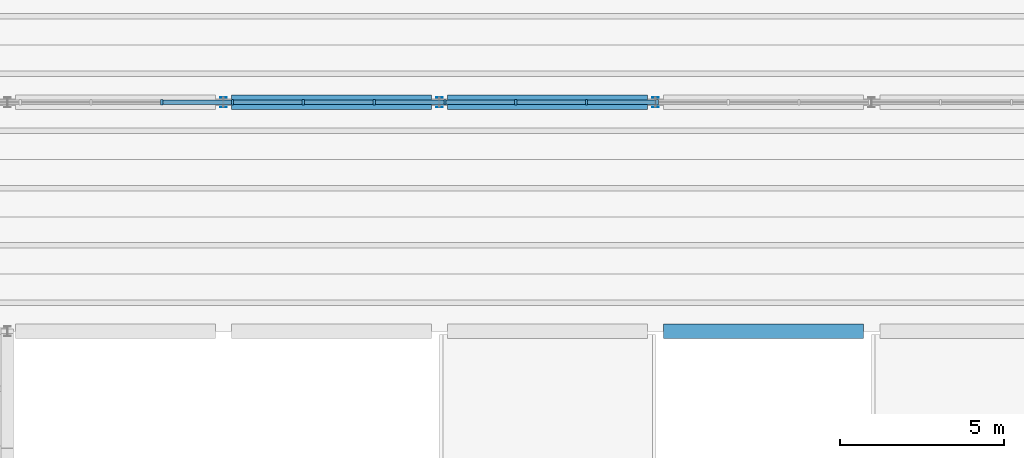
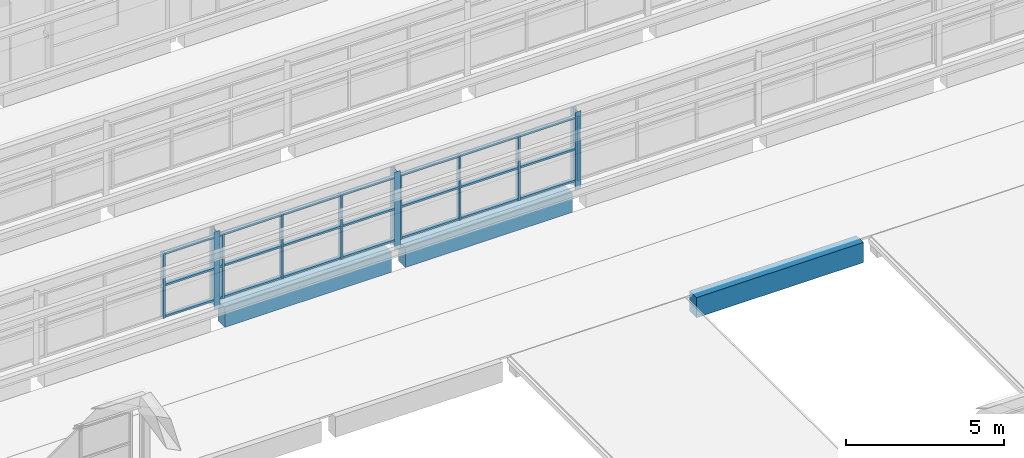
# One storey, part 40 of 92: 32 members, 3 beams, 1 element without a shape of its own.
"""IFC4 building model written with IfcOpenShell, lengths in metres."""

from ifc_helpers import new_model, si_unit, direction, frame, origin, origin_2d, place, context, subcontext, project, spatial, rectangle, i_section, extrude, material, material_profile, profile_set, type_object, element, aggregate, save


model = new_model("IFC4")

# Units and contexts
model_context = context("Model", 3, precision=1e-05, world=origin(), true_north=direction((0.0, 1.0)))
body_context = subcontext(model_context, "Body", "Model", "MODEL_VIEW")
ifc_project = project(units=[si_unit("LENGTHUNIT", "METRE"), si_unit("AREAUNIT", "SQUARE_METRE"), si_unit("VOLUMEUNIT", "CUBIC_METRE"), si_unit("PLANEANGLEUNIT", "RADIAN"), si_unit("MASSUNIT", "GRAM", prefix="KILO")], contexts=[model_context])

# Site, building, storey
site_placement = place(None, origin())
site = spatial("IfcSite", under=ifc_project, at=site_placement, CompositionType="ELEMENT")
building_placement = place(site_placement, origin())
building = spatial("IfcBuilding", under=site, at=building_placement, Name="Ciguamira Faculty of Natural Sciences", CompositionType="ELEMENT")
storey_placement = place(building_placement, frame((0.0, 0.0, 16.800048828125)))
storey = spatial("IfcBuildingStorey", under=building, at=storey_placement, Name="L04", CompositionType="ELEMENT", Elevation=16.800048828125)

# Curtain wall, members
ifc_material_1 = material(Name="Anodized aluminium curtain wall", Category="aluminium")
curtain_wall_type = type_object("IfcCurtainWallType", Name="CurtainWall_CW-07", PredefinedType="USERDEFINED", material=ifc_material_1)
curtain_wall_placement = place(storey_placement, origin())
curtain_wall = element("IfcCurtainWall", 1, at=curtain_wall_placement, inside=storey, type_object=curtain_wall_type, Name="V4 north-light wave 5 clerestory glazing 1", ObjectType="UNITISED CURTAIN WALL", PredefinedType="USERDEFINED")
ifc_material_2 = material(Name="Anodized aluminium mullion", Category="aluminium")
ifc_material_profile_1 = material_profile(ifc_material_2, rectangle(XDim=0.070068359375, YDim=0.179931640625, at=origin_2d()), Name="ALU-MUL-70X180")
ifc_profile_set_1 = profile_set([ifc_material_profile_1], Name="Anodized aluminium mullion")
member_type_1 = type_object("IfcMemberType", Name="CWMullion_CWM-02", PredefinedType="MULLION", material=ifc_profile_set_1)
member_1_placement = place(storey_placement, frame((68.61474609375, 80.0, 0.25), z_axis=(0.0, 0.0, 1.0), x_axis=(1.0, 0.0, 0.0)))
member_1 = element("IfcMember", 2, at=member_1_placement, type_object=member_type_1, Name="CW-07 mullion 6", PredefinedType="MULLION", context=body_context, shape_type="SweptSolid", body=[
    extrude(rectangle(XDim=0.070068359375, YDim=0.179931640625, at=origin_2d()), origin(), (0.0, 0.0, 1.0), 2.5),
])
member_2_placement = place(storey_placement, frame((70.77783203125, 80.0, 0.25), z_axis=(0.0, 0.0, 1.0), x_axis=(1.0, 0.0, 0.0)))
member_2 = element("IfcMember", 3, at=member_2_placement, type_object=member_type_1, Name="CW-07 mullion 7", PredefinedType="MULLION", context=body_context, shape_type="SweptSolid", body=[
    extrude(rectangle(XDim=0.070068359375, YDim=0.179931640625, at=origin_2d()), origin(), (0.0, 0.0, 1.0), 2.5),
])
member_3_placement = place(storey_placement, frame((72.940673828125, 80.0, 0.25), z_axis=(0.0, 0.0, 1.0), x_axis=(1.0, 0.0, 0.0)))
member_3 = element("IfcMember", 4, at=member_3_placement, type_object=member_type_1, Name="CW-07 mullion 8", PredefinedType="MULLION", context=body_context, shape_type="SweptSolid", body=[
    extrude(rectangle(XDim=0.070068359375, YDim=0.179931640625, at=origin_2d()), origin(), (0.0, 0.0, 1.0), 2.5),
])
member_4_placement = place(storey_placement, frame((75.103759765625, 80.0, 0.25), z_axis=(0.0, 0.0, 1.0), x_axis=(1.0, 0.0, 0.0)))
member_4 = element("IfcMember", 5, at=member_4_placement, type_object=member_type_1, Name="CW-07 mullion 9", PredefinedType="MULLION", context=body_context, shape_type="SweptSolid", body=[
    extrude(rectangle(XDim=0.070068359375, YDim=0.179931640625, at=origin_2d()), origin(), (0.0, 0.0, 1.0), 2.5),
])
member_5_placement = place(storey_placement, frame((77.2666015625, 80.0, 0.25), z_axis=(0.0, 0.0, 1.0), x_axis=(1.0, 0.0, 0.0)))
member_5 = element("IfcMember", 6, at=member_5_placement, type_object=member_type_1, Name="CW-07 mullion 10", PredefinedType="MULLION", context=body_context, shape_type="SweptSolid", body=[
    extrude(rectangle(XDim=0.070068359375, YDim=0.179931640625, at=origin_2d()), origin(), (0.0, 0.0, 1.0), 2.5),
])
member_6_placement = place(storey_placement, frame((79.4296875, 80.0, 0.25), z_axis=(0.0, 0.0, 1.0), x_axis=(1.0, 0.0, 0.0)))
member_6 = element("IfcMember", 7, at=member_6_placement, type_object=member_type_1, Name="CW-07 mullion 11", PredefinedType="MULLION", context=body_context, shape_type="SweptSolid", body=[
    extrude(rectangle(XDim=0.070068359375, YDim=0.179931640625, at=origin_2d()), origin(), (0.0, 0.0, 1.0), 2.5),
])
member_7_placement = place(storey_placement, frame((81.592529296875, 80.0, 0.25), z_axis=(0.0, 0.0, 1.0), x_axis=(1.0, 0.0, 0.0)))
member_7 = element("IfcMember", 8, at=member_7_placement, type_object=member_type_1, Name="CW-07 mullion 12", PredefinedType="MULLION", context=body_context, shape_type="SweptSolid", body=[
    extrude(rectangle(XDim=0.070068359375, YDim=0.179931640625, at=origin_2d()), origin(), (0.0, 0.0, 1.0), 2.5),
])
member_8_placement = place(storey_placement, frame((83.755615234375, 80.0, 0.25), z_axis=(0.0, 0.0, 1.0), x_axis=(1.0, 0.0, 0.0)))
member_8 = element("IfcMember", 9, at=member_8_placement, type_object=member_type_1, Name="CW-07 mullion 13", PredefinedType="MULLION", context=body_context, shape_type="SweptSolid", body=[
    extrude(rectangle(XDim=0.070068359375, YDim=0.179931640625, at=origin_2d()), origin(), (0.0, 0.0, 1.0), 2.5),
])
ifc_material_3 = material(Name="Anodized aluminium transom", Category="aluminium")
ifc_material_profile_2 = material_profile(ifc_material_3, rectangle(XDim=0.070068359375, YDim=0.139892578125, at=origin_2d()), Name="ALU-TRN-70X140")
ifc_profile_set_2 = profile_set([ifc_material_profile_2], Name="Anodized aluminium transom")
member_type_2 = type_object("IfcMemberType", Name="CWTransom_CWT-02", PredefinedType="USERDEFINED", material=ifc_profile_set_2)
member_9_placement = place(storey_placement, frame((68.64990234375, 80.0, 0.284912109375), z_axis=(1.0, 0.0, 0.0), x_axis=(0.0, 0.0, 1.0)))
member_9 = element("IfcMember", 10, at=member_9_placement, type_object=member_type_2, Name="CW-07 transom 6.1", ObjectType="TRANSOM", PredefinedType="USERDEFINED", context=body_context, shape_type="SweptSolid", body=[
    extrude(rectangle(XDim=0.070068359375, YDim=0.139892578125, at=origin_2d()), origin(), (0.0, 0.0, 1.0), 2.0927734375),
])
member_10_placement = place(storey_placement, frame((68.64990234375, 80.0, 1.5), z_axis=(1.0, 0.0, 0.0), x_axis=(0.0, 0.0, 1.0)))
member_10 = element("IfcMember", 11, at=member_10_placement, type_object=member_type_2, Name="CW-07 transom 6.2", ObjectType="TRANSOM", PredefinedType="USERDEFINED", context=body_context, shape_type="SweptSolid", body=[
    extrude(rectangle(XDim=0.070068359375, YDim=0.139892578125, at=origin_2d()), origin(), (0.0, 0.0, 1.0), 2.0927734375),
])
member_11_placement = place(storey_placement, frame((68.64990234375, 80.0, 2.71484375), z_axis=(1.0, 0.0, 0.0), x_axis=(0.0, 0.0, 1.0)))
member_11 = element("IfcMember", 12, at=member_11_placement, type_object=member_type_2, Name="CW-07 transom 6.3", ObjectType="TRANSOM", PredefinedType="USERDEFINED", context=body_context, shape_type="SweptSolid", body=[
    extrude(rectangle(XDim=0.070068359375, YDim=0.139892578125, at=origin_2d()), origin(), (0.0, 0.0, 1.0), 2.0927734375),
])
member_12_placement = place(storey_placement, frame((70.812744140625, 80.0, 0.284912109375), z_axis=(1.0, 0.0, 0.0), x_axis=(0.0, 0.0, 1.0)))
member_12 = element("IfcMember", 13, at=member_12_placement, type_object=member_type_2, Name="CW-07 transom 7.1", ObjectType="TRANSOM", PredefinedType="USERDEFINED", context=body_context, shape_type="SweptSolid", body=[
    extrude(rectangle(XDim=0.070068359375, YDim=0.139892578125, at=origin_2d()), origin(), (0.0, 0.0, 1.0), 2.093017578125),
])
member_13_placement = place(storey_placement, frame((70.812744140625, 80.0, 1.5), z_axis=(1.0, 0.0, 0.0), x_axis=(0.0, 0.0, 1.0)))
member_13 = element("IfcMember", 14, at=member_13_placement, type_object=member_type_2, Name="CW-07 transom 7.2", ObjectType="TRANSOM", PredefinedType="USERDEFINED", context=body_context, shape_type="SweptSolid", body=[
    extrude(rectangle(XDim=0.070068359375, YDim=0.139892578125, at=origin_2d()), origin(), (0.0, 0.0, 1.0), 2.093017578125),
])
member_14_placement = place(storey_placement, frame((70.812744140625, 80.0, 2.71484375), z_axis=(1.0, 0.0, 0.0), x_axis=(0.0, 0.0, 1.0)))
member_14 = element("IfcMember", 15, at=member_14_placement, type_object=member_type_2, Name="CW-07 transom 7.3", ObjectType="TRANSOM", PredefinedType="USERDEFINED", context=body_context, shape_type="SweptSolid", body=[
    extrude(rectangle(XDim=0.070068359375, YDim=0.139892578125, at=origin_2d()), origin(), (0.0, 0.0, 1.0), 2.093017578125),
])
member_15_placement = place(storey_placement, frame((72.975830078125, 80.0, 0.284912109375), z_axis=(1.0, 0.0, 0.0), x_axis=(0.0, 0.0, 1.0)))
member_15 = element("IfcMember", 16, at=member_15_placement, type_object=member_type_2, Name="CW-07 transom 8.1", ObjectType="TRANSOM", PredefinedType="USERDEFINED", context=body_context, shape_type="SweptSolid", body=[
    extrude(rectangle(XDim=0.070068359375, YDim=0.139892578125, at=origin_2d()), origin(), (0.0, 0.0, 1.0), 2.0927734375),
])
member_16_placement = place(storey_placement, frame((72.975830078125, 80.0, 1.5), z_axis=(1.0, 0.0, 0.0), x_axis=(0.0, 0.0, 1.0)))
member_16 = element("IfcMember", 17, at=member_16_placement, type_object=member_type_2, Name="CW-07 transom 8.2", ObjectType="TRANSOM", PredefinedType="USERDEFINED", context=body_context, shape_type="SweptSolid", body=[
    extrude(rectangle(XDim=0.070068359375, YDim=0.139892578125, at=origin_2d()), origin(), (0.0, 0.0, 1.0), 2.0927734375),
])
member_17_placement = place(storey_placement, frame((72.975830078125, 80.0, 2.71484375), z_axis=(1.0, 0.0, 0.0), x_axis=(0.0, 0.0, 1.0)))
member_17 = element("IfcMember", 18, at=member_17_placement, type_object=member_type_2, Name="CW-07 transom 8.3", ObjectType="TRANSOM", PredefinedType="USERDEFINED", context=body_context, shape_type="SweptSolid", body=[
    extrude(rectangle(XDim=0.070068359375, YDim=0.139892578125, at=origin_2d()), origin(), (0.0, 0.0, 1.0), 2.0927734375),
])
member_18_placement = place(storey_placement, frame((75.138671875, 80.0, 0.284912109375), z_axis=(1.0, 0.0, 0.0), x_axis=(0.0, 0.0, 1.0)))
member_18 = element("IfcMember", 19, at=member_18_placement, type_object=member_type_2, Name="CW-07 transom 9.1", ObjectType="TRANSOM", PredefinedType="USERDEFINED", context=body_context, shape_type="SweptSolid", body=[
    extrude(rectangle(XDim=0.070068359375, YDim=0.139892578125, at=origin_2d()), origin(), (0.0, 0.0, 1.0), 2.093017578125),
])
member_19_placement = place(storey_placement, frame((75.138671875, 80.0, 1.5), z_axis=(1.0, 0.0, 0.0), x_axis=(0.0, 0.0, 1.0)))
member_19 = element("IfcMember", 20, at=member_19_placement, type_object=member_type_2, Name="CW-07 transom 9.2", ObjectType="TRANSOM", PredefinedType="USERDEFINED", context=body_context, shape_type="SweptSolid", body=[
    extrude(rectangle(XDim=0.070068359375, YDim=0.139892578125, at=origin_2d()), origin(), (0.0, 0.0, 1.0), 2.093017578125),
])
member_20_placement = place(storey_placement, frame((75.138671875, 80.0, 2.71484375), z_axis=(1.0, 0.0, 0.0), x_axis=(0.0, 0.0, 1.0)))
member_20 = element("IfcMember", 21, at=member_20_placement, type_object=member_type_2, Name="CW-07 transom 9.3", ObjectType="TRANSOM", PredefinedType="USERDEFINED", context=body_context, shape_type="SweptSolid", body=[
    extrude(rectangle(XDim=0.070068359375, YDim=0.139892578125, at=origin_2d()), origin(), (0.0, 0.0, 1.0), 2.093017578125),
])
member_21_placement = place(storey_placement, frame((77.3017578125, 80.0, 0.284912109375), z_axis=(1.0, 0.0, 0.0), x_axis=(0.0, 0.0, 1.0)))
member_21 = element("IfcMember", 22, at=member_21_placement, type_object=member_type_2, Name="CW-07 transom 10.1", ObjectType="TRANSOM", PredefinedType="USERDEFINED", context=body_context, shape_type="SweptSolid", body=[
    extrude(rectangle(XDim=0.070068359375, YDim=0.139892578125, at=origin_2d()), origin(), (0.0, 0.0, 1.0), 2.0927734375),
])
member_22_placement = place(storey_placement, frame((77.3017578125, 80.0, 1.5), z_axis=(1.0, 0.0, 0.0), x_axis=(0.0, 0.0, 1.0)))
member_22 = element("IfcMember", 23, at=member_22_placement, type_object=member_type_2, Name="CW-07 transom 10.2", ObjectType="TRANSOM", PredefinedType="USERDEFINED", context=body_context, shape_type="SweptSolid", body=[
    extrude(rectangle(XDim=0.070068359375, YDim=0.139892578125, at=origin_2d()), origin(), (0.0, 0.0, 1.0), 2.0927734375),
])
member_23_placement = place(storey_placement, frame((77.3017578125, 80.0, 2.71484375), z_axis=(1.0, 0.0, 0.0), x_axis=(0.0, 0.0, 1.0)))
member_23 = element("IfcMember", 24, at=member_23_placement, type_object=member_type_2, Name="CW-07 transom 10.3", ObjectType="TRANSOM", PredefinedType="USERDEFINED", context=body_context, shape_type="SweptSolid", body=[
    extrude(rectangle(XDim=0.070068359375, YDim=0.139892578125, at=origin_2d()), origin(), (0.0, 0.0, 1.0), 2.0927734375),
])
member_24_placement = place(storey_placement, frame((79.464599609375, 80.0, 0.284912109375), z_axis=(1.0, 0.0, 0.0), x_axis=(0.0, 0.0, 1.0)))
member_24 = element("IfcMember", 25, at=member_24_placement, type_object=member_type_2, Name="CW-07 transom 11.1", ObjectType="TRANSOM", PredefinedType="USERDEFINED", context=body_context, shape_type="SweptSolid", body=[
    extrude(rectangle(XDim=0.070068359375, YDim=0.139892578125, at=origin_2d()), origin(), (0.0, 0.0, 1.0), 2.093017578125),
])
member_25_placement = place(storey_placement, frame((79.464599609375, 80.0, 1.5), z_axis=(1.0, 0.0, 0.0), x_axis=(0.0, 0.0, 1.0)))
member_25 = element("IfcMember", 26, at=member_25_placement, type_object=member_type_2, Name="CW-07 transom 11.2", ObjectType="TRANSOM", PredefinedType="USERDEFINED", context=body_context, shape_type="SweptSolid", body=[
    extrude(rectangle(XDim=0.070068359375, YDim=0.139892578125, at=origin_2d()), origin(), (0.0, 0.0, 1.0), 2.093017578125),
])
member_26_placement = place(storey_placement, frame((79.464599609375, 80.0, 2.71484375), z_axis=(1.0, 0.0, 0.0), x_axis=(0.0, 0.0, 1.0)))
member_26 = element("IfcMember", 27, at=member_26_placement, type_object=member_type_2, Name="CW-07 transom 11.3", ObjectType="TRANSOM", PredefinedType="USERDEFINED", context=body_context, shape_type="SweptSolid", body=[
    extrude(rectangle(XDim=0.070068359375, YDim=0.139892578125, at=origin_2d()), origin(), (0.0, 0.0, 1.0), 2.093017578125),
])
member_27_placement = place(storey_placement, frame((81.627685546875, 80.0, 0.284912109375), z_axis=(1.0, 0.0, 0.0), x_axis=(0.0, 0.0, 1.0)))
member_27 = element("IfcMember", 28, at=member_27_placement, type_object=member_type_2, Name="CW-07 transom 12.1", ObjectType="TRANSOM", PredefinedType="USERDEFINED", context=body_context, shape_type="SweptSolid", body=[
    extrude(rectangle(XDim=0.070068359375, YDim=0.139892578125, at=origin_2d()), origin(), (0.0, 0.0, 1.0), 2.0927734375),
])
member_28_placement = place(storey_placement, frame((81.627685546875, 80.0, 1.5), z_axis=(1.0, 0.0, 0.0), x_axis=(0.0, 0.0, 1.0)))
member_28 = element("IfcMember", 29, at=member_28_placement, type_object=member_type_2, Name="CW-07 transom 12.2", ObjectType="TRANSOM", PredefinedType="USERDEFINED", context=body_context, shape_type="SweptSolid", body=[
    extrude(rectangle(XDim=0.070068359375, YDim=0.139892578125, at=origin_2d()), origin(), (0.0, 0.0, 1.0), 2.0927734375),
])
member_29_placement = place(storey_placement, frame((81.627685546875, 80.0, 2.71484375), z_axis=(1.0, 0.0, 0.0), x_axis=(0.0, 0.0, 1.0)))
member_29 = element("IfcMember", 30, at=member_29_placement, type_object=member_type_2, Name="CW-07 transom 12.3", ObjectType="TRANSOM", PredefinedType="USERDEFINED", context=body_context, shape_type="SweptSolid", body=[
    extrude(rectangle(XDim=0.070068359375, YDim=0.139892578125, at=origin_2d()), origin(), (0.0, 0.0, 1.0), 2.0927734375),
])
aggregate(curtain_wall, [member_1, member_2, member_3, member_4, member_5, member_6, member_7, member_8, member_9, member_10, member_11, member_12, member_13, member_14, member_15, member_16, member_17, member_18, member_19, member_20, member_21, member_22, member_23, member_24, member_25, member_26, member_27, member_28, member_29])

# Beams
ifc_material_4 = material(Name="Concrete C40/50", Category="concrete")
ifc_material_profile_3 = material_profile(ifc_material_4, rectangle(XDim=0.43994140625, YDim=0.780029296875, at=origin_2d()), Name="RC-BM-440X780")
ifc_profile_set_3 = profile_set([ifc_material_profile_3], Name="Concrete C40/50")
beam_type = type_object("IfcBeamType", Name="RCBeam_BG-06_RC-BM-440X780", PredefinedType="BEAM", material=ifc_profile_set_3)
beam_1_placement = place(storey_placement, frame((70.75, 80.0, -0.39013671875), z_axis=(1.0, 0.0, 0.0), x_axis=(0.0, 1.0, 0.0)))
element("IfcBeam", 31, at=beam_1_placement, inside=storey, type_object=beam_type, Name="V4 north-light wave 5 RC valley beam NVL-1-3", PredefinedType="BEAM", context=body_context, shape_type="SweptSolid", body=[
    extrude(rectangle(XDim=0.43994140625, YDim=0.780029296875, at=origin_2d()), origin(), (0.0, 0.0, 1.0), 6.10009765625),
])
beam_2_placement = place(storey_placement, frame((77.35009765625, 80.0, -0.39013671875), z_axis=(1.0, 0.0, 0.0), x_axis=(0.0, 1.0, 0.0)))
element("IfcBeam", 32, at=beam_2_placement, inside=storey, type_object=beam_type, Name="V4 north-light wave 5 RC valley beam NVL-1-4", PredefinedType="BEAM", context=body_context, shape_type="SweptSolid", body=[
    extrude(rectangle(XDim=0.43994140625, YDim=0.780029296875, at=origin_2d()), origin(), (0.0, 0.0, 1.0), 6.099853515625),
])
beam_3_placement = place(storey_placement, frame((83.949951171875, 73.0, -0.39013671875), z_axis=(1.0, 0.0, 0.0), x_axis=(0.0, 1.0, 0.0)))
element("IfcBeam", 33, at=beam_3_placement, inside=storey, type_object=beam_type, Name="V4 north-light wave 5 RC valley beam VAL-1-5", PredefinedType="BEAM", context=body_context, shape_type="SweptSolid", body=[
    extrude(rectangle(XDim=0.43994140625, YDim=0.780029296875, at=origin_2d()), origin(), (0.0, 0.0, 1.0), 6.10009765625),
])

# Members
ifc_material_5 = material(Name="Steel ASTM A992 Grade 50", Category="steel")
ifc_material_profile_4 = material_profile(ifc_material_5, i_section(OverallWidth=0.20458984375, OverallDepth=0.307373046875, WebThickness=0.008544921875, FlangeThickness=0.0146484375, at=origin_2d()), Name="W12X45")
ifc_profile_set_4 = profile_set([ifc_material_profile_4], Name="Steel ASTM A992 Grade 50")
member_type_3 = type_object("IfcMemberType", Name="SteelMember_TS-01_W12X45", PredefinedType="STRUT", material=ifc_profile_set_4)
for number, where, z_axis, x_axis, name in (
    (34, (70.5, 80.0, 0.0), (0.0, 0.0, 1.0), (1.0, 0.0, 0.0), "V4 north-light wave 5 clerestory post 70"),
    (35, (77.10009765625, 80.0, 0.0), (0.0, 0.0, 1.0), (1.0, 0.0, 0.0), "V4 north-light wave 5 clerestory post 77"),
    (36, (83.699951171875, 80.0, 0.0), (0.0, 0.0, 1.0), (1.0, 0.0, 0.0), "V4 north-light wave 5 clerestory post 84"),
):
    element("IfcMember", number, at=place(storey_placement, frame(where, z_axis=z_axis, x_axis=x_axis)), inside=storey, type_object=member_type_3, Name=name, PredefinedType="STRUT", context=body_context, shape_type="SweptSolid", body=[
        extrude(i_section(OverallWidth=0.20458984375, OverallDepth=0.307373046875, WebThickness=0.008544921875, FlangeThickness=0.0146484375, at=origin_2d()), origin(), (0.0, 0.0, 1.0), 2.986328125),
    ])

save(model, "model.ifc")
